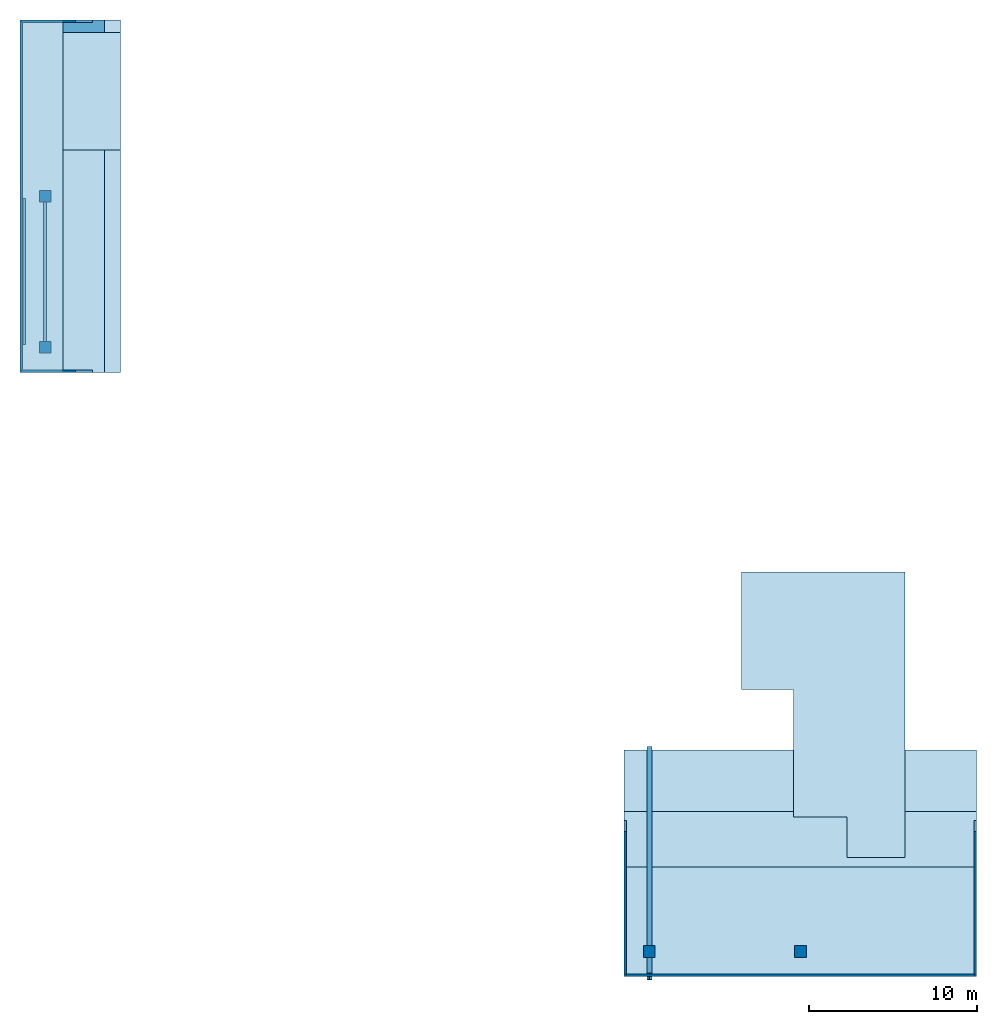
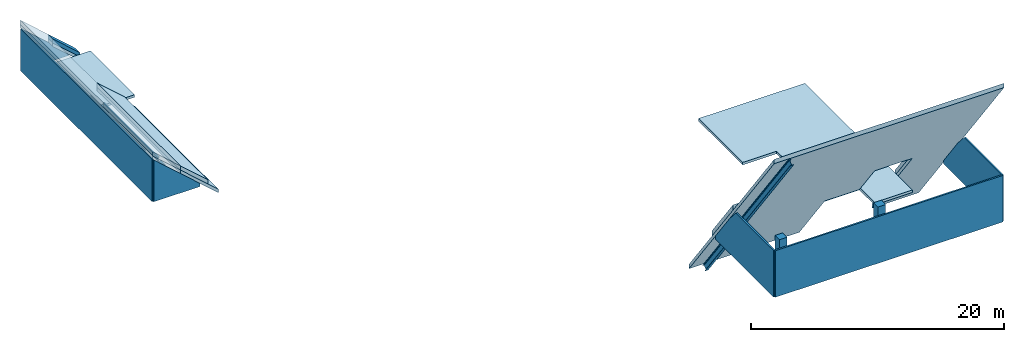
# One storey: 10 slabs, 6 walls, 4 columns, 3 beams.
"""IFC4 building model written with IfcOpenShell, lengths in metres."""

from ifc_helpers import new_model, si_unit, direction, frame, frame_2d, origin, origin_2d, place, context, subcontext, project, spatial, polyline, rectangle, i_section, outline, extrude, material, layer, layer_set, material_profile, profile_set, type_object, element, save


model = new_model("IFC4")

# Units and contexts
model_context = context("Model", 3, precision=1e-05, world=origin(), true_north=direction((0.0, 1.0)))
body_context = subcontext(model_context, "Body", "Model", "MODEL_VIEW")
ifc_project = project(units=[si_unit("LENGTHUNIT", "METRE"), si_unit("AREAUNIT", "SQUARE_METRE"), si_unit("VOLUMEUNIT", "CUBIC_METRE"), si_unit("PLANEANGLEUNIT", "RADIAN"), si_unit("MASSUNIT", "GRAM", prefix="KILO")], contexts=[model_context])

# Site, building, storey
site_placement = place(None, origin())
site = spatial("IfcSite", under=ifc_project, at=site_placement, CompositionType="ELEMENT")
building_placement = place(site_placement, origin())
building = spatial("IfcBuilding", under=site, at=building_placement, Name="Chenar Terraces", CompositionType="ELEMENT")
storey_placement = place(building_placement, frame((0.0, 0.0, 397.89990234375)))
storey = spatial("IfcBuildingStorey", under=building, at=storey_placement, Name="L93", CompositionType="ELEMENT", Elevation=397.89990234375)

# Columns
ifc_material_1 = material(Name="Concrete C40/50", Category="concrete")
ifc_material_profile_1 = material_profile(ifc_material_1, rectangle(XDim=0.699951171875, YDim=0.699951171875, at=origin_2d()), Name="C 700 x 700")
ifc_profile_set_1 = profile_set([ifc_material_profile_1], Name="Concrete C40/50")
column_type = type_object("IfcColumnType", Name="Column C 700 x 700 Concrete C40/50", PredefinedType="COLUMN", material=ifc_profile_set_1)
for number, where, z_axis, x_axis, name in (
    (1, (36.0, 0.0, 0.0), (0.0, 0.0, 1.0), (1.0, 0.0, 0.0), "Column 8/E L93"),
    (2, (45.0, 0.0, 0.0), (0.0, 0.0, 1.0), (1.0, 0.0, 0.0), "Column 9/E L93"),
):
    element("IfcColumn", number, at=place(storey_placement, frame(where, z_axis=z_axis, x_axis=x_axis)), inside=storey, type_object=column_type, Name=name, PredefinedType="COLUMN", context=body_context, shape_type="SweptSolid", body=[
        extrude(rectangle(XDim=0.699951171875, YDim=0.699951171875, at=origin_2d()), origin(), (0.0, 0.0, 1.0), 4.5),
    ])
for number, where, z_axis, x_axis, name in (
    (3, (0.0, 36.0, 0.0), (0.0, 0.0, 1.0), (1.0, 0.0, 0.0), "Column 5/H L93"),
    (4, (0.0, 45.0, 0.0), (0.0, 0.0, 1.0), (1.0, 0.0, 0.0), "Column 5/J L93"),
):
    element("IfcColumn", number, at=place(storey_placement, frame(where, z_axis=z_axis, x_axis=x_axis)), inside=storey, type_object=column_type, Name=name, PredefinedType="COLUMN", context=body_context, shape_type="SweptSolid", body=[
        extrude(rectangle(XDim=0.699951171875, YDim=0.699951171875, at=origin_2d()), origin(), (0.0, 0.0, 1.0), 2.268798828125),
    ])

# Beams
ifc_material_2 = material(Name="Structural steel S355", Category="steel")
ifc_material_profile_2 = material_profile(ifc_material_2, i_section(OverallWidth=0.169921875, OverallDepth=0.360107421875, WebThickness=0.008056640625, FlangeThickness=0.0126953125, FilletRadius=0.01806640625, at=origin_2d()), Name="IPE 360")
ifc_profile_set_2 = profile_set([ifc_material_profile_2], Name="Structural steel S355")
beam_type_1 = type_object("IfcBeamType", Name="Peak roof purlin IPE 360 S355", PredefinedType="BEAM", material=ifc_profile_set_2)
for number, where, z_axis, x_axis, name in (
    (5, (0.0, 36.14990234375, 2.623291015625), (0.0, 1.0, 0.0), (-1.0, 0.0, 0.0), "Peak roof purlin B 4"),
    (6, (-1.25, 36.14990234375, 3.73095703125), (0.0, 1.0, 0.0), (-1.0, 0.0, 0.0), "Peak roof purlin B 5"),
):
    element("IfcBeam", number, at=place(storey_placement, frame(where, z_axis=z_axis, x_axis=x_axis)), inside=storey, type_object=beam_type_1, Name=name, PredefinedType="BEAM", context=body_context, shape_type="SweptSolid", body=[
        extrude(i_section(OverallWidth=0.169921875, OverallDepth=0.360107421875, WebThickness=0.008056640625, FlangeThickness=0.0126953125, FilletRadius=0.01806640625, at=origin_2d()), origin(), (0.0, 0.0, 1.0), 8.7001953125),
    ])
ifc_material_3 = material(Name="Structural steel S355", Category="steel")
ifc_material_profile_3 = material_profile(ifc_material_3, i_section(OverallWidth=0.300048828125, OverallDepth=0.5, WebThickness=0.014404296875, FlangeThickness=0.028076171875, FilletRadius=0.027099609375, at=origin_2d()), Name="HEB 500")
ifc_profile_set_3 = profile_set([ifc_material_profile_3], Name="Structural steel S355")
beam_type_2 = type_object("IfcBeamType", Name="Peak roof rafter HEB 500 S355", PredefinedType="BEAM", material=ifc_profile_set_3)
beam_placement = place(storey_placement, frame((36.0, 12.0, -5.81689453125), z_axis=(0.0, -0.592853741007, 0.805310152534), x_axis=(1.0, 0.0, 0.0)))
element("IfcBeam", 7, at=beam_placement, inside=storey, type_object=beam_type_2, Name="Peak roof rafter A1 part 2", PredefinedType="BEAM", context=body_context, shape_type="SweptSolid", body=[
    extrude(i_section(OverallWidth=0.300048828125, OverallDepth=0.5, WebThickness=0.014404296875, FlangeThickness=0.028076171875, FilletRadius=0.027099609375, at=origin_2d()), origin(), (0.0, 0.0, 1.0), 22.771240234375),
])

# Slabs
ifc_material_4 = material(Name="Concrete C40/50", Category="concrete")
ifc_layer_1 = layer(ifc_material_4, 0.25)
ifc_layer_set_1 = layer_set([ifc_layer_1], Name="Concrete C40/50")
slab_type_1 = type_object("IfcSlabType", Name="Block roof slab 250 Concrete C40/50", PredefinedType="ROOF", material=ifc_layer_set_1)
placement = place(storey_placement, origin())
element("IfcSlab", 8, at=placement, inside=storey, type_object=slab_type_1, Name="Head-house roof slab 1", PredefinedType="ROOF", context=body_context, shape_type="SweptSolid", body=[
    extrude(outline(polyline([(47.77490234375, 5.60009765625), (47.77490234375, 8.0), (44.60009765625, 8.0), (44.60009765625, 15.60009765625), (41.5, 15.60009765625), (41.5, 22.60009765625), (47.77490234375, 22.60009765625), (51.22509765625, 22.60009765625), (51.22509765625, 15.60009765625), (51.22509765625, 12.60009765625), (51.22509765625, 5.60009765625), (47.77490234375, 5.60009765625)])), origin(), (0.0, 0.0, 1.0), 0.25),
])
element("IfcSlab", 9, at=placement, inside=storey, type_object=slab_type_1, Name="Head-house roof slab 2", PredefinedType="ROOF", context=body_context, shape_type="SweptSolid", body=[
    extrude(outline(polyline([(4.5, 54.75), (4.5, 47.75), (1.050048828125, 47.75), (1.050048828125, 54.75), (4.5, 54.75)])), origin(), (0.0, 0.0, 1.0), 0.25),
])
ifc_material_5 = material(Name="Concrete C40/50", Category="concrete")
ifc_layer_2 = layer(ifc_material_5, 0.25)
ifc_layer_set_2 = layer_set([ifc_layer_2], Name="Concrete C40/50")
slab_type_2 = type_object("IfcSlabType", Name="Roof deck 250 Concrete C40/50", PredefinedType="ROOF", material=ifc_layer_set_2)
slab_3_placement = place(storey_placement, frame((55.5, -1.5, 13.3642578125), z_axis=(6.32381e-07, 0.805306198328, 0.592859112213), x_axis=(-1.0, 5.0926e-07, 3.74913e-07)))
element("IfcSlab", 10, at=slab_3_placement, inside=storey, type_object=slab_type_2, Name="Roof deck peak A facet 2", PredefinedType="ROOF", context=body_context, shape_type="SweptSolid", body=[
    extrude(outline(polyline([(0.0, 0.0), (20.9999999999958, 0.0), (20.999999999991285, -22.771018391496234), (10.899902343743307, -22.771018391496234), (10.899902343734475, -16.024071824529784), (7.725097656235109, -16.024071824529784), (7.725097656279542, -11.975961780747593), (4.274902343780232, -11.975961780747593), (4.274902343744633, -22.771018391496234), (-4.513537337120805e-12, -22.771018391496234), (0.0, 0.0)])), origin(), (-3.74913e-07, -0.805306198328, -0.592859112213), 0.421630859375),
])
slab_4_placement = place(storey_placement, frame((1.050048828125, 34.5, 2.206787109375), z_axis=(0.663182789942, 0.0, 0.748457471821), x_axis=(0.748457471821, 0.0, -0.663182789942)))
element("IfcSlab", 11, at=slab_4_placement, inside=storey, type_object=slab_type_2, Name="Roof deck peak B facet 2 part 2", PredefinedType="ROOF", context=body_context, shape_type="SweptSolid", body=[
    extrude(outline(polyline([(0.0, 0.0), (4.609415099405986, 0.0), (4.609415099405986, 13.25), (0.0, 13.25), (0.0, 0.0)])), origin(), (0.663182789942, 0.0, -0.748457471821), 0.333984375),
])
slab_5_placement = place(storey_placement, frame((4.5, 55.5, -0.85009765625), z_axis=(0.663182789942, 0.0, 0.748457471821), x_axis=(-0.748457471821, 0.0, 0.663182789942)))
element("IfcSlab", 12, at=slab_5_placement, inside=storey, type_object=slab_type_2, Name="Roof deck peak B facet 2 part 3", PredefinedType="ROOF", context=body_context, shape_type="SweptSolid", body=[
    extrude(outline(polyline([(0.0, 0.0), (4.609415099405986, 0.0), (4.609415099405986, 0.7500000000000002), (0.0, 0.7500000000000002), (0.0, 0.0)])), origin(), (-0.663182789942, 0.0, -0.748457471821), 0.333984375),
])
slab_6_placement = place(storey_placement, frame((1.050048828125, 55.5, 2.206787109375), z_axis=(0.66318438071, 0.0, 0.748456062292), x_axis=(-0.748456062292, 0.0, 0.66318438071)))
element("IfcSlab", 13, at=slab_6_placement, inside=storey, type_object=slab_type_2, Name="Roof deck peak B facet 2 part 4", PredefinedType="ROOF", context=body_context, shape_type="SweptSolid", body=[
    extrude(outline(polyline([(0.0, 0.0), (3.4070788608680442, 0.0), (3.4070788608680442, 21.0), (0.0, 21.0), (0.0, 7.75), (0.0, 0.75), (0.0, 0.0)])), origin(), (-0.66318438071, 0.0, -0.748456062292), 0.333984375),
])
ifc_material_6 = material(Name="Terracotta roof tile on insulated deck", Category="masonry")
ifc_layer_3 = layer(ifc_material_6, 0.300048828125)
ifc_layer_set_3 = layer_set([ifc_layer_3], Name="Terracotta roof tile on insulated deck")
slab_type_3 = type_object("IfcSlabType", Name="Terracotta roof tile 300", PredefinedType="ROOF", material=ifc_layer_set_3)
slab_7_placement = place(storey_placement, frame((34.5, 8.338623046875, 0.506103515625), z_axis=(2.66612e-07, 0.805291882008, 0.592878558198), x_axis=(1.0, -2.147e-07, -1.58068e-07)))
element("IfcSlab", 14, at=slab_7_placement, inside=storey, type_object=slab_type_3, Name="Terracotta roof tile", PredefinedType="ROOF", context=body_context, shape_type="SweptSolid", body=[
    extrude(outline(polyline([(0.0, 0.0), (10.100097656249641, 0.0), (10.100097656246819, -0.5711651528137096), (13.274902343746707, -0.5711651528137096), (13.274902343701912, -4.619275193719), (16.72509765620179, -4.619275193719), (16.725097656249407, 0.0), (20.999999999999254, 0.0), (20.999999999991005, -5.588013184553372), (-8.249982959671837e-12, -5.588013184553372), (0.0, 0.0)])), origin(), (1.58068e-07, 0.805291882008, -0.592878558198), 0.506103515625),
])
slab_8_placement = place(storey_placement, frame((3.540283203125, 34.5, 0.40087890625), z_axis=(0.663229063779, 0.0, 0.74841646759), x_axis=(0.0, 1.0, 0.0)))
element("IfcSlab", 15, at=slab_8_placement, inside=storey, type_object=slab_type_3, Name="Terracotta roof tile", PredefinedType="ROOF", context=body_context, shape_type="SweptSolid", body=[
    extrude(outline(polyline([(0.0, 0.0), (13.25, 0.0), (13.25, 3.3273377629172707), (0.0, 3.3273377629172707), (0.0, 0.0)])), origin(), (0.0, -0.663229063779, -0.74841646759), 0.40087890625),
])
slab_9_placement = place(storey_placement, frame((1.050048828125, 55.5, 2.607666015625), z_axis=(0.663229063779, 0.0, 0.74841646759), x_axis=(0.0, -1.0, 0.0)))
element("IfcSlab", 16, at=slab_9_placement, inside=storey, type_object=slab_type_3, Name="Terracotta roof tile", PredefinedType="ROOF", context=body_context, shape_type="SweptSolid", body=[
    extrude(outline(polyline([(0.0, 0.0), (0.75, 0.0), (0.75, 3.3273377629172707), (0.0, 3.3273377629172707), (0.0, 0.0)])), origin(), (0.0, 0.663229063779, -0.74841646759), 0.40087890625),
])
slab_10_placement = place(storey_placement, frame((-1.5, 55.5, 4.8671875), z_axis=(0.66318438071, 0.0, 0.748456062292), x_axis=(0.0, -1.0, 0.0)))
element("IfcSlab", 17, at=slab_10_placement, inside=storey, type_object=slab_type_3, Name="Terracotta roof tile", PredefinedType="ROOF", context=body_context, shape_type="SweptSolid", body=[
    extrude(outline(polyline([(0.0, 0.0), (21.0, 0.0), (21.0, 3.407078860868044), (7.75, 3.407078860868044), (0.75, 3.407078860868044), (0.0, 3.407078860868044), (0.0, 0.0)])), origin(), (0.0, 0.66318438071, -0.748456062292), 0.40087890625),
])

# Walls
ifc_material_7 = material(Name="Terracotta cladding on insulated backing", Category="masonry")
ifc_layer_4 = layer(ifc_material_7, 0.14990234375)
ifc_layer_set_4 = layer_set([ifc_layer_4], Name="Terracotta cladding on insulated backing")
wall_type = type_object("IfcWallType", Name="Crown terracotta wall 150", PredefinedType="SOLIDWALL", material=ifc_layer_set_4)
wall_1_placement = place(storey_placement, frame((55.425048828125, -1.39990234375, 0.0), z_axis=(0.0, 0.0, 1.0), x_axis=(0.0, 1.0, 0.0)))
element("IfcWall", 18, at=wall_1_placement, inside=storey, type_object=wall_type, Name="Crown terracotta wall", PredefinedType="SOLIDWALL", context=body_context, shape_type="SweptSolid", body=[
    extrude(outline(polyline([(0.0, 0.0), (9.207275390625, 0.0), (9.207275390625, 0.300048828125), (6.947998046875, 3.369140625), (5.95556640625, 4.5), (0.0, 4.5), (0.0, 0.0)])), frame((0.0, 0.074951171875, 0.0), z_axis=(0.0, -1.0, 0.0), x_axis=(1.0, 0.0, 0.0)), (0.0, 0.0, 1.0), 0.14990234375),
])
wall_2_placement = place(storey_placement, frame((34.574951171875, 7.807373046875, 0.0), z_axis=(0.0, 0.0, 1.0), x_axis=(0.0, -1.0, 0.0)))
element("IfcWall", 19, at=wall_2_placement, inside=storey, type_object=wall_type, Name="Crown terracotta wall", PredefinedType="SOLIDWALL", context=body_context, shape_type="SweptSolid", body=[
    extrude(outline(polyline([(0.0, 0.0), (9.207275390625, 0.0), (9.207275390625, 4.5), (3.251708984375, 4.5), (2.259033203125, 3.369140625), (1.2666015625, 2.02001953125), (0.27392578125, 0.672119140625), (0.0, 0.300048828125), (0.0, 0.0)])), frame((0.0, 0.074951171875, 0.0), z_axis=(0.0, -1.0, 0.0), x_axis=(1.0, 0.0, 0.0)), (0.0, 0.0, 1.0), 0.14990234375),
])
wall_3_placement = place(storey_placement, frame((34.60009765625, -1.425048828125, 0.0), z_axis=(0.0, 0.0, 1.0), x_axis=(1.0, 0.0, 0.0)))
element("IfcWall", 20, at=wall_3_placement, inside=storey, type_object=wall_type, Name="Crown terracotta wall", PredefinedType="SOLIDWALL", context=body_context, shape_type="SweptSolid", body=[
    extrude(rectangle(XDim=20.7998046875, YDim=0.14990234375, at=frame_2d((10.39990234375, 0.0))), origin(), (0.0, 0.0, 1.0), 4.5),
])
wall_4_placement = place(storey_placement, frame((2.824951171875, 55.425048828125, 0.0), z_axis=(0.0, 0.0, 1.0), x_axis=(-1.0, 0.0, 0.0)))
element("IfcWall", 21, at=wall_4_placement, inside=storey, type_object=wall_type, Name="Crown terracotta wall", PredefinedType="SOLIDWALL", context=body_context, shape_type="SweptSolid", body=[
    extrude(outline(polyline([(0.0, 0.0), (4.224853515625, 0.0), (4.224853515625, 4.044189453125), (3.232421875, 3.1640625), (2.23974609375, 2.28515625), (1.2470703125, 1.405029296875), (0.25439453125, 0.526123046875), (0.0, 0.300048828125), (0.0, 0.0)])), frame((0.0, 0.074951171875, 0.0), z_axis=(0.0, -1.0, 0.0), x_axis=(1.0, 0.0, 0.0)), (0.0, 0.0, 1.0), 0.14990234375),
])
wall_5_placement = place(storey_placement, frame((-1.425048828125, 55.39990234375, 0.0), z_axis=(0.0, 0.0, 1.0), x_axis=(0.0, -1.0, 0.0)))
element("IfcWall", 22, at=wall_5_placement, inside=storey, type_object=wall_type, Name="Crown terracotta wall", PredefinedType="SOLIDWALL", context=body_context, shape_type="SweptSolid", body=[
    extrude(outline(polyline([(0.0, 0.0), (20.7998046875, 0.0), (20.800048828125, 4.066162109375), (0.0, 4.066162109375), (0.0, 0.0)])), frame((0.0, 0.074951171875, 0.0), z_axis=(0.0, -1.0, 0.0), x_axis=(1.0, 0.0, 0.0)), (0.0, 0.0, 1.0), 0.14990234375),
])
wall_6_placement = place(storey_placement, frame((-1.39990234375, 34.574951171875, 0.0), z_axis=(0.0, 0.0, 1.0), x_axis=(1.0, 0.0, 0.0)))
element("IfcWall", 23, at=wall_6_placement, inside=storey, type_object=wall_type, Name="Crown terracotta wall", PredefinedType="SOLIDWALL", context=body_context, shape_type="SweptSolid", body=[
    extrude(outline(polyline([(0.0, 0.0), (4.224853515625, 0.0), (4.224853515625, 0.300048828125), (0.0, 4.044189453125), (0.0, 0.0)])), frame((0.0, 0.074951171875, 0.0), z_axis=(0.0, -1.0, 0.0), x_axis=(1.0, 0.0, 0.0)), (0.0, 0.0, 1.0), 0.14990234375),
])

save(model, "model.ifc")
